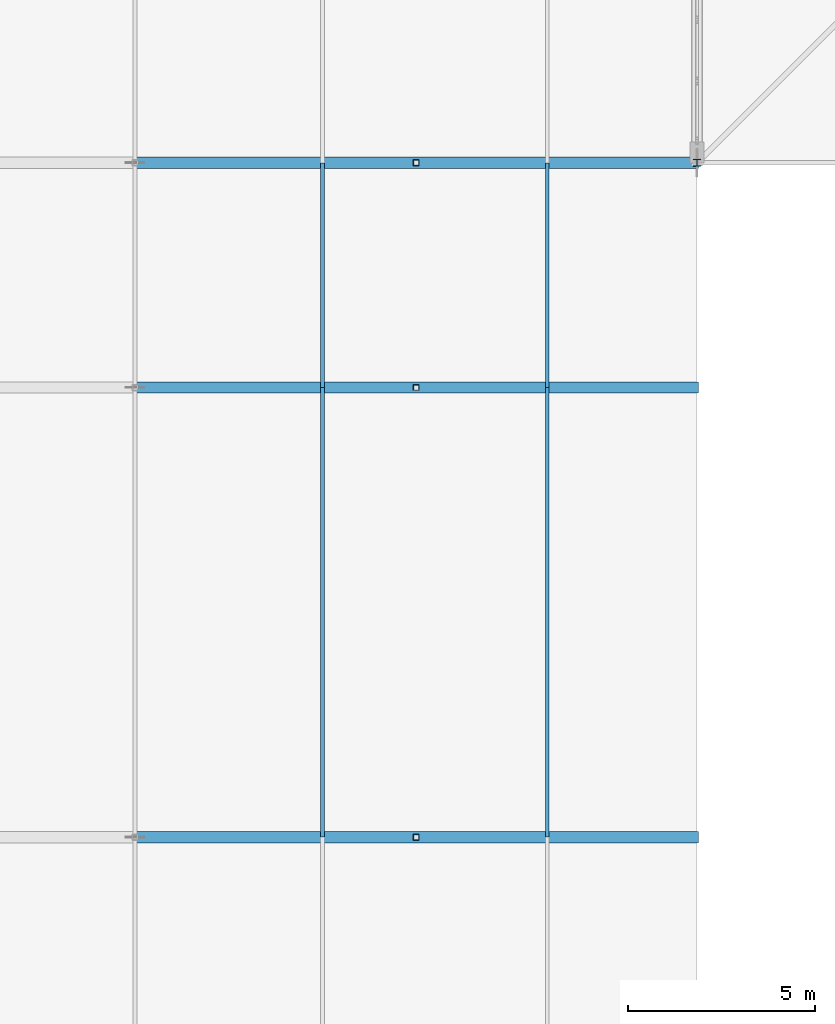
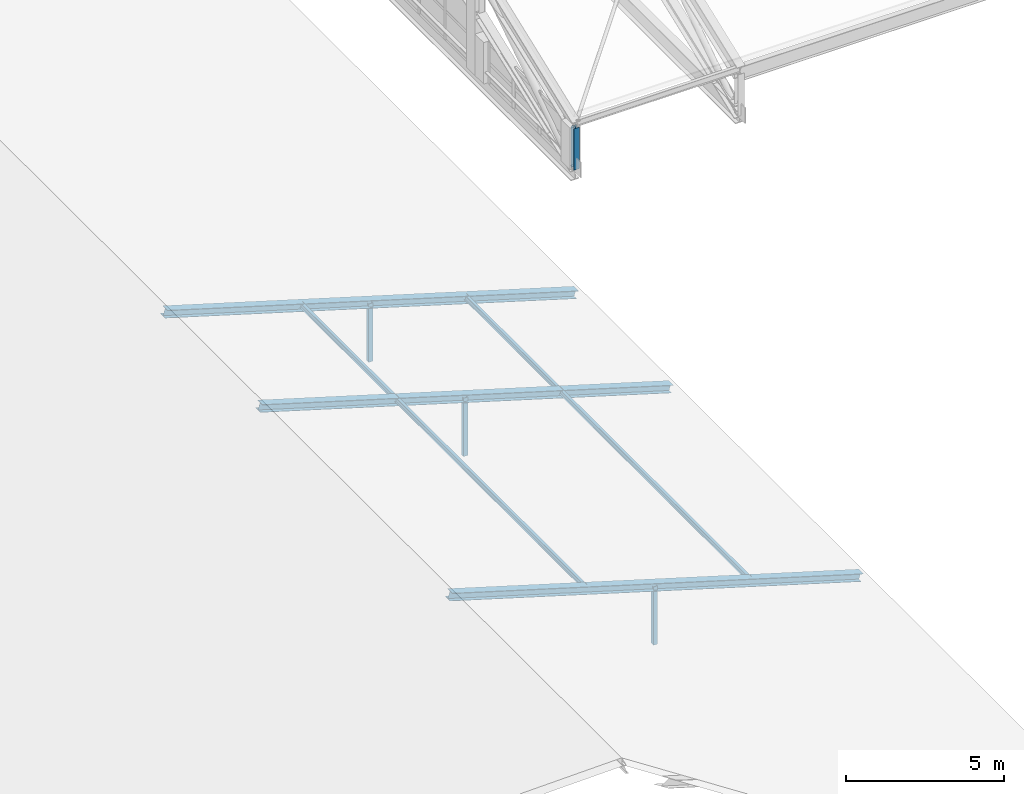
# One storey, part 68 of 204: 11 members.
"""IFC4 building model written with IfcOpenShell, lengths in metres."""

import ifcopenshell
import ifcopenshell.guid

model = None  # the IFC model being written
_history = None  # IfcOwnerHistory: only IFC2X3 demands one
_inside = {}  # id of a spatial element -> (the spatial element, [elements in it])
_under = {}  # id of a project, library or spatial element -> (it, [spatial elements below it])
_declared = {}  # id of a project -> (the project, [libraries it declares])
_typed = {}  # id of a type object -> (the type object, [elements of that type])
_made_of = {}  # id of a material, layer set ... -> (it, [elements and type objects made of it])


def new_model(schema):
    """Start an empty IFC model of exactly this schema.

    Asked for "IFC4X3", IfcOpenShell would pick the latest addendum, in which some entities
    have other attributes; the version numbers below select the first issue.
    IFC2X3 requires an IfcOwnerHistory on every rooted entity: one is made here for all.
    """
    global model, _history
    if schema == "IFC4X3":
        model = ifcopenshell.file(schema_version=(4, 3, 0, 0))
    else:
        model = ifcopenshell.file(schema=schema)
    _inside.clear()
    _under.clear()
    _declared.clear()
    _typed.clear()
    _made_of.clear()
    _history = None
    if model.schema == "IFC2X3":
        org = make("IfcOrganization", Name="unknown")
        user = make(
            "IfcPersonAndOrganization",
            ThePerson=make("IfcPerson", FamilyName="unknown"),
            TheOrganization=org,
        )
        app = make(
            "IfcApplication",
            ApplicationDeveloper=org,
            Version="unknown",
            ApplicationFullName="unknown",
            ApplicationIdentifier="unknown",
        )
        _history = make(
            "IfcOwnerHistory",
            OwningUser=user,
            OwningApplication=app,
            ChangeAction="ADDED",
            CreationDate=0,
        )
    return model


def make(cls, **values):
    """One entity of the class cls with the attributes given. An attribute that is None is left unset."""
    return model.create_entity(
        cls, **{name: value for name, value in values.items() if value is not None}
    )


def rooted(cls, **values):
    """An entity with a GlobalId (a new one), such as an element, a storey or a relation."""
    return make(cls, GlobalId=ifcopenshell.guid.new(), OwnerHistory=_history, **values)


def si_unit(unit_type, name, prefix=None):
    """IfcSIUnit, for example si_unit("LENGTHUNIT", "METRE", prefix="MILLI")."""
    return make("IfcSIUnit", UnitType=unit_type, Prefix=prefix, Name=name)


def assignment(units):
    """IfcUnitAssignment: the units of a project."""
    return None if units is None else make("IfcUnitAssignment", Units=units)


def point(xyz):
    """IfcCartesianPoint."""
    return None if xyz is None else make("IfcCartesianPoint", Coordinates=xyz)


def direction(xyz):
    """IfcDirection."""
    return None if xyz is None else make("IfcDirection", DirectionRatios=xyz)


def frame(location, z_axis=None, x_axis=None):
    """IfcAxis2Placement3D, a coordinate frame: its origin and axes. An axis left out is left unset."""
    return make(
        "IfcAxis2Placement3D",
        Location=point(location),
        Axis=direction(z_axis),
        RefDirection=direction(x_axis),
    )


def frame_2d(location, x_axis=None):
    """IfcAxis2Placement2D, a coordinate frame in the plane: its origin and x axis."""
    return make(
        "IfcAxis2Placement2D", Location=point(location), RefDirection=direction(x_axis)
    )


def origin():
    """The frame at (0, 0, 0) with its axes left unset."""
    return frame((0.0, 0.0, 0.0))


def origin_2d():
    """The frame at (0, 0) in the plane with its x axis left unset."""
    return frame_2d((0.0, 0.0))


def place(relative_to, where):
    """IfcLocalPlacement: puts the frame where relative to a parent placement (None: the world)."""
    return make(
        "IfcLocalPlacement", PlacementRelTo=relative_to, RelativePlacement=where
    )


def context(
    kind, dimensions, precision=None, world=None, true_north=None, identifier=None
):
    """IfcGeometricRepresentationContext, for example the 3D "Model" context."""
    return make(
        "IfcGeometricRepresentationContext",
        ContextIdentifier=identifier,
        ContextType=kind,
        CoordinateSpaceDimension=dimensions,
        Precision=precision,
        WorldCoordinateSystem=world,
        TrueNorth=true_north,
    )


def subcontext(parent, identifier, kind, view, scale=None):
    """IfcGeometricRepresentationSubContext, for example "Body" below "Model"."""
    return make(
        "IfcGeometricRepresentationSubContext",
        ContextIdentifier=identifier,
        ContextType=kind,
        ParentContext=parent,
        TargetScale=scale,
        TargetView=view,
    )


def project(units=None, contexts=None):
    """IfcProject with its units and contexts."""
    return rooted(
        "IfcProject",
        Name="project",
        RepresentationContexts=contexts,
        UnitsInContext=assignment(units),
    )


def spatial(cls, under=None, at=None, **own):
    """A site, building, storey or space (cls), placed at a placement, below another one or the project."""
    s = rooted(cls, ObjectPlacement=at, **own)
    if under is not None:
        _under.setdefault(under.id(), (under, []))[1].append(s)
    return s


def profile(cls, at=None, kind="AREA", **sizes):
    """A parametric profile (cls). Its sizes go by their IFC names, for example OverallWidth=200.0."""
    return make(cls, ProfileType=kind, Position=at, **sizes)


def hollow_rectangle(**sizes):
    """IfcRectangleHollowProfileDef."""
    return profile("IfcRectangleHollowProfileDef", **sizes)


def i_section(**sizes):
    """IfcIShapeProfileDef."""
    return profile("IfcIShapeProfileDef", **sizes)


def extrude(swept, where, along, depth):
    """IfcExtrudedAreaSolid: the profile swept, set in the frame where, extruded along a direction by depth."""
    return make(
        "IfcExtrudedAreaSolid",
        SweptArea=swept,
        Position=where,
        ExtrudedDirection=direction(along),
        Depth=depth,
    )


def shape(context_of_items, identifier, shape_type, items):
    """IfcShapeRepresentation: the items that make up one representation, for example the "Body"."""
    return make(
        "IfcShapeRepresentation",
        ContextOfItems=context_of_items,
        RepresentationIdentifier=identifier,
        RepresentationType=shape_type,
        Items=items,
    )


def material(Name=None, Category=None):
    """IfcMaterial."""
    return make("IfcMaterial", Name=Name, Category=Category)


def material_profile(
    of_material, cross_section, Name=None, Category=None, Priority=None
):
    """IfcMaterialProfile: a cross section and its material."""
    return make(
        "IfcMaterialProfile",
        Name=Name,
        Material=of_material,
        Profile=cross_section,
        Priority=Priority,
        Category=Category,
    )


def profile_set(profiles, Name=None, composite=None):
    """IfcMaterialProfileSet."""
    return make(
        "IfcMaterialProfileSet",
        Name=Name,
        MaterialProfiles=profiles,
        CompositeProfile=composite,
    )


def made_of(thing, what):
    """Note that an element or type object is made of a material, layer set ...; save() writes the relation."""
    if what is not None:
        _made_of.setdefault(what.id(), (what, []))[1].append(thing)
    return thing


def type_object(cls, material=None, **own):
    """A type object (cls), such as IfcWallType, which elements share."""
    return made_of(rooted(cls, **own), material)


def element(
    cls,
    number,
    at=None,
    inside=None,
    cuts=None,
    type_object=None,
    material=None,
    context=None,
    identifier="Body",
    shape_type=None,
    held_by="IfcProductDefinitionShape",
    body=None,
    shapes=None,
    **own,
):
    """One element of the class cls, such as IfcWall. Its Tag is "e" and its number.

    at: its placement. inside: the storey or other place that contains it. cuts: it is an
    opening in that element (IfcRelVoidsElement). A single representation is given by context,
    identifier, shape_type and body (its items); several are given by shapes. held_by: the class
    of the entity that holds the representations. save() writes the other relations.
    """
    e = rooted(cls, Tag="e%d" % number, ObjectPlacement=at, **own)
    if body is not None:
        shapes = [shape(context, identifier, shape_type, body)]
    if shapes is not None:
        e.Representation = make(held_by, Representations=shapes)
    if inside is not None:
        _inside.setdefault(inside.id(), (inside, []))[1].append(e)
    if cuts is not None:
        rooted(
            "IfcRelVoidsElement", RelatingBuildingElement=cuts, RelatedOpeningElement=e
        )
    if type_object is not None:
        _typed.setdefault(type_object.id(), (type_object, []))[1].append(e)
    return made_of(e, material)


def aggregate(whole, parts):
    """IfcRelAggregates: a whole, such as a stair, and the parts it consists of."""
    return rooted("IfcRelAggregates", RelatingObject=whole, RelatedObjects=parts)


def save(model, path):
    """Write the relations noted so far, then the file.

    IfcRelAggregates (storeys below a building ...), IfcRelContainedInSpatialStructure (elements
    in a storey), IfcRelDefinesByType, IfcRelAssociatesMaterial and IfcRelDeclares: one each for
    every whole, place, type object, material and project.
    """
    for whole, parts in _under.values():
        aggregate(whole, parts)
    for where, things in _inside.values():
        rooted(
            "IfcRelContainedInSpatialStructure",
            RelatedElements=things,
            RelatingStructure=where,
        )
    for kind, things in _typed.values():
        rooted("IfcRelDefinesByType", RelatedObjects=things, RelatingType=kind)
    for what, things in _made_of.values():
        rooted("IfcRelAssociatesMaterial", RelatedObjects=things, RelatingMaterial=what)
    for by, libraries in _declared.values():
        rooted("IfcRelDeclares", RelatingContext=by, RelatedDefinitions=libraries)
    model.write(path)


model = new_model("IFC4")

# Units and contexts
model_context = context("Model", 3, precision=1e-05, world=origin(), true_north=direction((0.0, 1.0)))
body_context = subcontext(model_context, "Body", "Model", "MODEL_VIEW")
ifc_project = project(units=[si_unit("LENGTHUNIT", "METRE"), si_unit("AREAUNIT", "SQUARE_METRE"), si_unit("VOLUMEUNIT", "CUBIC_METRE"), si_unit("PLANEANGLEUNIT", "RADIAN"), si_unit("MASSUNIT", "GRAM", prefix="KILO")], contexts=[model_context])

# Site, building, storey
site_placement = place(None, origin())
site = spatial("IfcSite", under=ifc_project, at=site_placement, CompositionType="ELEMENT")
building_placement = place(site_placement, origin())
building = spatial("IfcBuilding", under=site, at=building_placement, Name="Zilviju Railside Exhibition Hall", CompositionType="ELEMENT")
storey_placement = place(building_placement, frame((0.0, 0.0, 21.0)))
storey = spatial("IfcBuildingStorey", under=building, at=storey_placement, Name="RF", CompositionType="ELEMENT", Elevation=21.0)

# Members
ifc_material_1 = material(Name="Steel S355ML", Category="steel")
ifc_material_profile_1 = material_profile(ifc_material_1, i_section(OverallWidth=0.199951171875, OverallDepth=0.18994140625, WebThickness=0.006591796875, FlangeThickness=0.010009765625, at=origin_2d()), Name="HEA 200")
ifc_profile_set_1 = profile_set([ifc_material_profile_1], Name="Steel S355ML")
member_type_1 = type_object("IfcMemberType", Name="TR-POST-HEA200", PredefinedType="POST", material=ifc_profile_set_1)
member_placement = place(storey_placement, frame((78.0, 84.0, -3.60009765625), z_axis=(0.0, 0.0, 1.0), x_axis=(1.0, 0.0, 0.0)))
element("IfcMember", 1, at=member_placement, inside=storey, type_object=member_type_1, Name="V2 Parabolic Arch Web Post X=78.0 N0", PredefinedType="POST", context=body_context, shape_type="SweptSolid", body=[
    extrude(i_section(OverallWidth=0.199951171875, OverallDepth=0.18994140625, WebThickness=0.006591796875, FlangeThickness=0.010009765625, at=origin_2d()), origin(), (0.0, 0.0, 1.0), 1.60009765625),
])
ifc_material_2 = material(Name="Steel S355J2", Category="steel")
ifc_material_profile_2 = material_profile(ifc_material_2, hollow_rectangle(XDim=0.14990234375, YDim=0.14990234375, WallThickness=0.008056640625, at=origin_2d()), Name="SHS 150x150x8.0")
ifc_profile_set_2 = profile_set([ifc_material_profile_2], Name="Steel S355J2")
member_type_2 = type_object("IfcMemberType", Name="TR-POST-SHS150", PredefinedType="POST", material=ifc_profile_set_2)
for number, where, z_axis, x_axis, name in (
    (2, (70.5, 66.0, -8.39990234375), (0.0, 0.0, 1.0), (1.0, 0.0, 0.0), "Concourse Saddle Queen Post Y=66.0"),
    (3, (70.5, 78.0, -8.39990234375), (0.0, 0.0, 1.0), (1.0, 0.0, 0.0), "Concourse Saddle Queen Post Y=78.0"),
    (4, (70.5, 84.0, -8.39990234375), (0.0, 0.0, 1.0), (1.0, 0.0, 0.0), "Concourse Saddle Queen Post Y=84.0"),
):
    element("IfcMember", number, at=place(storey_placement, frame(where, z_axis=z_axis, x_axis=x_axis)), inside=storey, type_object=member_type_2, Name=name, PredefinedType="POST", context=body_context, shape_type="SweptSolid", body=[
        extrude(hollow_rectangle(XDim=0.14990234375, YDim=0.14990234375, WallThickness=0.008056640625, at=origin_2d()), origin(), (0.0, 0.0, 1.0), 2.25),
    ])
ifc_material_profile_3 = material_profile(ifc_material_2, i_section(OverallWidth=0.10009765625, OverallDepth=0.199951171875, WebThickness=0.005615234375, FlangeThickness=0.008544921875, at=origin_2d()), Name="IPE 200")
ifc_profile_set_3 = profile_set([ifc_material_profile_3], Name="Steel S355J2")
member_type_3 = type_object("IfcMemberType", Name="TR-PUR-IPE200", PredefinedType="PURLIN", material=ifc_profile_set_3)
for number, where, z_axis, x_axis, name in (
    (5, (68.0, 66.0, -5.360107421875), (0.0, 1.0, 0.0), (-1.0, 0.0, 0.0), "Concourse Lantern Purlin X=68.0"),
    (6, (74.0, 66.0, -7.159912109375), (0.0, 1.0, 0.0), (-1.0, 0.0, 0.0), "Concourse Lantern Purlin X=74.0"),
):
    element("IfcMember", number, at=place(storey_placement, frame(where, z_axis=z_axis, x_axis=x_axis)), inside=storey, type_object=member_type_3, Name=name, PredefinedType="PURLIN", context=body_context, shape_type="SweptSolid", body=[
        extrude(i_section(OverallWidth=0.10009765625, OverallDepth=0.199951171875, WebThickness=0.005615234375, FlangeThickness=0.008544921875, at=origin_2d()), origin(), (0.0, 0.0, 1.0), 12.0),
    ])
for number, where, z_axis, x_axis, name in (
    (7, (68.0, 78.0, -5.360107421875), (0.0, 1.0, 0.0), (-1.0, 0.0, 0.0), "Concourse Lantern Purlin X=68.0"),
    (8, (74.0, 78.0, -7.159912109375), (0.0, 1.0, 0.0), (-1.0, 0.0, 0.0), "Concourse Lantern Purlin X=74.0"),
):
    element("IfcMember", number, at=place(storey_placement, frame(where, z_axis=z_axis, x_axis=x_axis)), inside=storey, type_object=member_type_3, Name=name, PredefinedType="PURLIN", context=body_context, shape_type="SweptSolid", body=[
        extrude(i_section(OverallWidth=0.10009765625, OverallDepth=0.199951171875, WebThickness=0.005615234375, FlangeThickness=0.008544921875, at=origin_2d()), origin(), (0.0, 0.0, 1.0), 6.0),
    ])
ifc_material_profile_4 = material_profile(ifc_material_2, i_section(OverallWidth=0.300048828125, OverallDepth=0.2900390625, WebThickness=0.008544921875, FlangeThickness=0.013916015625, at=origin_2d()), Name="HEA 300")
ifc_profile_set_4 = profile_set([ifc_material_profile_4], Name="Steel S355J2")
member_type_4 = type_object("IfcMemberType", Name="TR-RAF-HEA300", PredefinedType="RAFTER", material=ifc_profile_set_4)
for number, where, z_axis, x_axis, name in (
    (9, (63.0, 66.0, -3.89990234375), (0.957826285221, 0.0, -0.287347885566), (0.0, 1.0, 0.0), "Concourse Saddle East Rafter Y=66.0"),
    (10, (63.0, 78.0, -3.89990234375), (0.957826285221, 0.0, -0.287347885566), (0.0, 1.0, 0.0), "Concourse Saddle East Rafter Y=78.0"),
    (11, (63.0, 84.0, -3.89990234375), (0.957826285221, 0.0, -0.287347885566), (0.0, 1.0, 0.0), "Concourse Saddle East Rafter Y=84.0"),
):
    element("IfcMember", number, at=place(storey_placement, frame(where, z_axis=z_axis, x_axis=x_axis)), inside=storey, type_object=member_type_4, Name=name, PredefinedType="RAFTER", context=body_context, shape_type="SweptSolid", body=[
        extrude(i_section(OverallWidth=0.300048828125, OverallDepth=0.2900390625, WebThickness=0.008544921875, FlangeThickness=0.013916015625, at=origin_2d()), origin(), (0.0, 0.0, 1.0), 15.660400390625),
    ])

save(model, "model.ifc")
